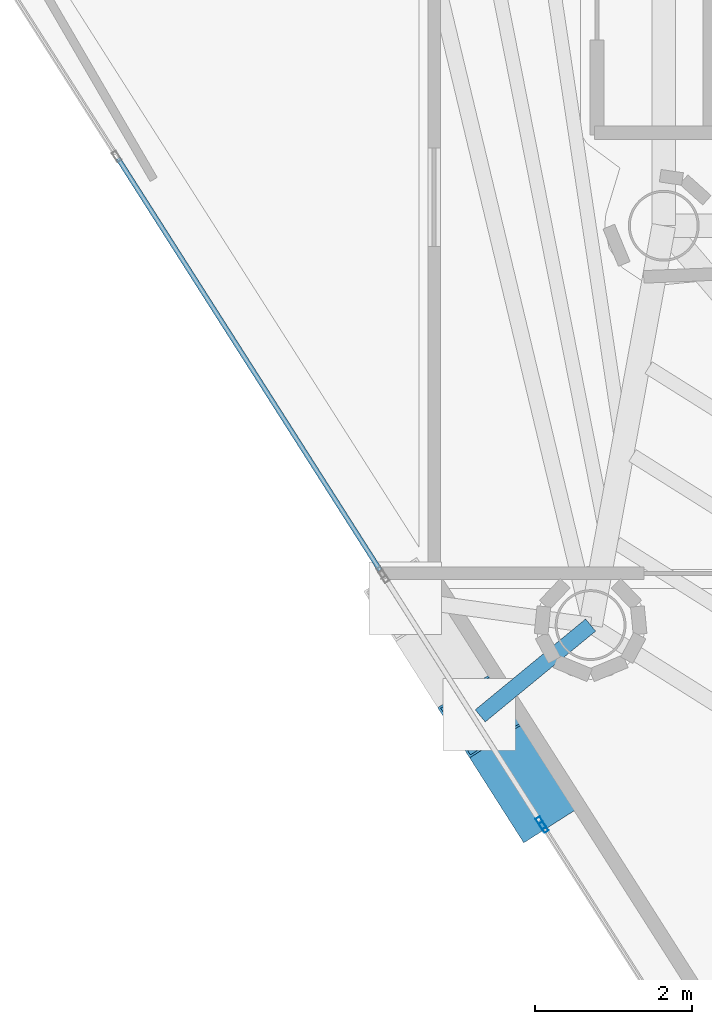
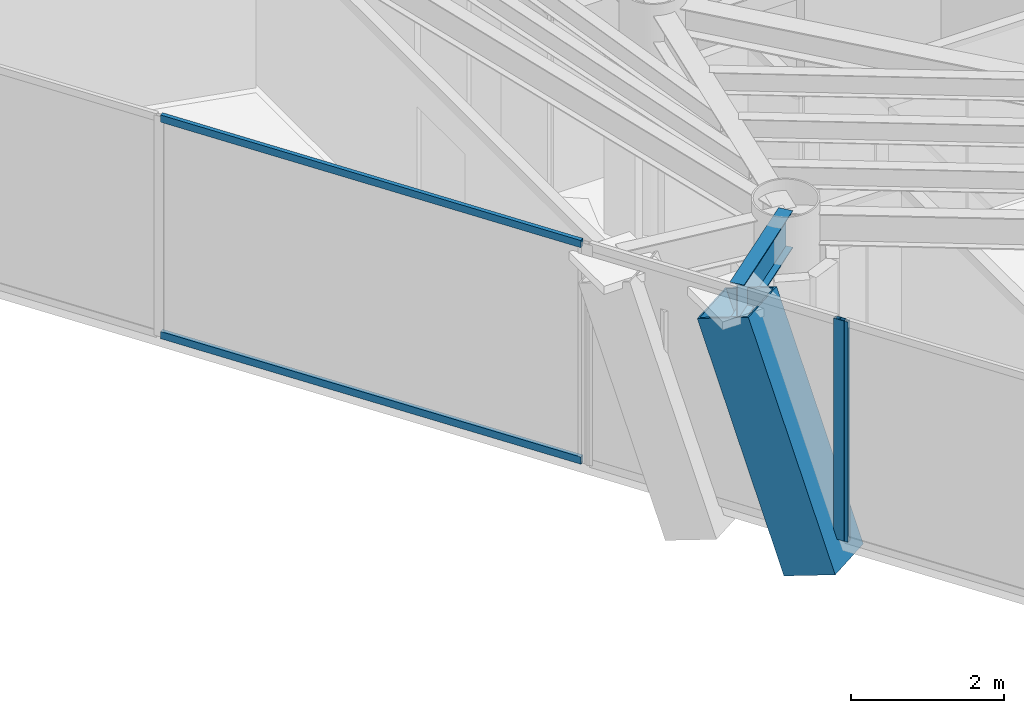
# One storey, part 3 of 25: 5 members, 1 beam, 3 elements without a shape of their own.
"""IFC4 building model written with IfcOpenShell, lengths in metres."""

from ifc_helpers import new_model, si_unit, direction, frame, origin, origin_2d, place, context, subcontext, project, spatial, hollow_rectangle, i_section, extrude, material, layer, layer_set, material_profile, profile_set, type_object, element, aggregate, save


model = new_model("IFC4")

# Units and contexts
model_context = context("Model", 3, precision=1e-05, world=origin(), true_north=direction((0.0, 1.0)))
body_context = subcontext(model_context, "Body", "Model", "MODEL_VIEW")
ifc_project = project(units=[si_unit("LENGTHUNIT", "METRE"), si_unit("AREAUNIT", "SQUARE_METRE"), si_unit("VOLUMEUNIT", "CUBIC_METRE"), si_unit("PLANEANGLEUNIT", "RADIAN"), si_unit("MASSUNIT", "GRAM", prefix="KILO")], contexts=[model_context])

# Site, building, storey
site_placement = place(None, origin())
site = spatial("IfcSite", under=ifc_project, at=site_placement, CompositionType="ELEMENT")
building_placement = place(site_placement, origin())
building = spatial("IfcBuilding", under=site, at=building_placement, Name="Qianvela Tower", CompositionType="ELEMENT")
storey_placement = place(building_placement, frame((0.0, 0.0, 288.0)))
storey = spatial("IfcBuildingStorey", under=building, at=storey_placement, Name="L74", CompositionType="ELEMENT", Elevation=288.0)

# Beam
ifc_material_1 = material(Name="Steel Q355B", Category="steel")
ifc_material_profile_1 = material_profile(ifc_material_1, i_section(OverallWidth=0.199951171875, OverallDepth=0.60009765625, WebThickness=0.010986328125, FlangeThickness=0.01708984375, at=origin_2d()), Name="HN600x200x11x17")
ifc_profile_set_1 = profile_set([ifc_material_profile_1], Name="Steel Q355B")
beam_type = type_object("IfcBeamType", Name="BM-HN600-GIRD", PredefinedType="BEAM", material=ifc_profile_set_1)
beam_placement = place(storey_placement, frame((27.669921875, 18.77392578125, 3.218017578125), z_axis=(-0.77232583648, -0.635226575566, 0.0), x_axis=(0.635226575566, -0.77232583648, 0.0)))
element("IfcBeam", 1, at=beam_placement, inside=storey, type_object=beam_type, Name="L74 Mega-Brace Column Tie Bracket F2-2", PredefinedType="BEAM", context=body_context, shape_type="SweptSolid", body=[
    extrude(i_section(OverallWidth=0.199951171875, OverallDepth=0.60009765625, WebThickness=0.010986328125, FlangeThickness=0.01708984375, at=origin_2d()), origin(), (0.0, 0.0, 1.0), 1.81640625),
])

# Curtain wall, member
ifc_material_2 = material(Name="Anodised Architectural Aluminium and Insulated Spandrel Panel", Category="aluminium")
ifc_layer_1 = layer(ifc_material_2, 0.179931640625)
ifc_layer_set_1 = layer_set([ifc_layer_1], Name="Anodised Architectural Aluminium and Insulated Spandrel Panel")
curtain_wall_type_1 = type_object("IfcCurtainWallType", Name="CW-BRACEBAY", PredefinedType="USERDEFINED", material=ifc_layer_set_1)
curtain_wall_1_placement = place(storey_placement, origin())
curtain_wall_1 = element("IfcCurtainWall", 2, at=curtain_wall_1_placement, inside=storey, type_object=curtain_wall_type_1, Name="L74 CW-BRACEBAY Curtain Wall 04B", ObjectType="CURTAIN_WALL_SYSTEM", PredefinedType="USERDEFINED")
ifc_material_3 = material(Name="Anodised Architectural Aluminium 6063-T6", Category="aluminium")
ifc_material_profile_2 = material_profile(ifc_material_3, hollow_rectangle(XDim=0.06494140625, YDim=0.159912109375, WallThickness=0.0048828125, at=origin_2d()), Name="ALU-MULL-65x160")
ifc_profile_set_2 = profile_set([ifc_material_profile_2], Name="Anodised Architectural Aluminium 6063-T6")
member_type_1 = type_object("IfcMemberType", Name="CW-BRACEBAY-MULL", PredefinedType="MULLION", material=ifc_profile_set_2)
member_1_placement = place(storey_placement, frame((27.038330078125, 16.25927734375, 0.0), z_axis=(0.0, 0.0, 1.0), x_axis=(0.843593943243, 0.536981618794, 0.0)))
member_1 = element("IfcMember", 3, at=member_1_placement, type_object=member_type_1, Name="CW-9 mullion 2", PredefinedType="MULLION", context=body_context, shape_type="SweptSolid", body=[
    extrude(hollow_rectangle(XDim=0.06494140625, YDim=0.159912109375, WallThickness=0.0048828125, at=origin_2d()), origin(), (0.0, 0.0, 1.0), 3.52001953125),
])
aggregate(curtain_wall_1, [member_1])

ifc_material_4 = material(Name="Anodised Architectural Aluminium and Low-E Glass", Category="aluminium")
ifc_layer_2 = layer(ifc_material_4, 0.14990234375)
ifc_layer_set_2 = layer_set([ifc_layer_2], Name="Anodised Architectural Aluminium and Low-E Glass")
curtain_wall_type_2 = type_object("IfcCurtainWallType", Name="CW-COLIV-Z78", PredefinedType="USERDEFINED", material=ifc_layer_set_2)
curtain_wall_2_placement = place(storey_placement, origin())
curtain_wall_2 = element("IfcCurtainWall", 4, at=curtain_wall_2_placement, inside=storey, type_object=curtain_wall_type_2, Name="L74 CW-COLIV-Z78 Curtain Wall 04C", ObjectType="CURTAIN_WALL_SYSTEM", PredefinedType="USERDEFINED")
ifc_material_5 = material(Name="Anodised Architectural Aluminium 6063-T6", Category="aluminium")
ifc_material_profile_3 = material_profile(ifc_material_5, hollow_rectangle(XDim=0.06005859375, YDim=0.139892578125, WallThickness=0.00439453125, at=origin_2d()), Name="ALU-MULL-60x140")
ifc_profile_set_3 = profile_set([ifc_material_profile_3], Name="Anodised Architectural Aluminium 6063-T6")
member_type_2 = type_object("IfcMemberType", Name="CW-COLIV-Z78-MULL", PredefinedType="MULLION", material=ifc_profile_set_3)
member_2_placement = place(storey_placement, frame((27.072021484375, 16.20654296875, 0.0), z_axis=(0.0, 0.0, 1.0), x_axis=(0.843576577393, 0.537008899436, 0.0)))
member_2 = element("IfcMember", 5, at=member_2_placement, type_object=member_type_2, Name="CW-6 mullion 1", PredefinedType="MULLION", context=body_context, shape_type="SweptSolid", body=[
    extrude(hollow_rectangle(XDim=0.06005859375, YDim=0.139892578125, WallThickness=0.00439453125, at=origin_2d()), origin(), (0.0, 0.0, 1.0), 3.52001953125),
])
aggregate(curtain_wall_2, [member_2])

# Curtain wall, members
curtain_wall_3_placement = place(storey_placement, origin())
curtain_wall_3 = element("IfcCurtainWall", 6, at=curtain_wall_3_placement, inside=storey, type_object=curtain_wall_type_2, Name="L74 CW-COLIV-Z78 Curtain Wall 04A", ObjectType="CURTAIN_WALL_SYSTEM", PredefinedType="USERDEFINED")
ifc_material_6 = material(Name="Anodised Architectural Aluminium 6063-T6", Category="aluminium")
ifc_material_profile_4 = material_profile(ifc_material_6, hollow_rectangle(XDim=0.06005859375, YDim=0.114990234375, WallThickness=0.00390625, at=origin_2d()), Name="ALU-TRAN-60x115")
ifc_profile_set_4 = profile_set([ifc_material_profile_4], Name="Anodised Architectural Aluminium 6063-T6")
member_type_3 = type_object("IfcMemberType", Name="CW-COLIV-Z78-TRAN", PredefinedType="USERDEFINED", material=ifc_profile_set_4)
member_3_placement = place(storey_placement, frame((21.661865234375, 24.70556640625, 0.030029296875), z_axis=(0.536997691401, -0.843583712165, 0.0), x_axis=(0.843583712165, 0.536997691401, 0.0)))
member_3 = element("IfcMember", 7, at=member_3_placement, type_object=member_type_3, Name="CW-6 transom 2.1", ObjectType="TRANSOM", PredefinedType="USERDEFINED", context=body_context, shape_type="SweptSolid", body=[
    extrude(hollow_rectangle(XDim=0.06005859375, YDim=0.114990234375, WallThickness=0.00390625, at=origin_2d()), origin(), (0.0, 0.0, 1.0), 6.204833984375),
])
member_4_placement = place(storey_placement, frame((21.661865234375, 24.70556640625, 3.489990234375), z_axis=(0.536997691401, -0.843583712165, 0.0), x_axis=(0.843583712165, 0.536997691401, 0.0)))
member_4 = element("IfcMember", 8, at=member_4_placement, type_object=member_type_3, Name="CW-6 transom 2.2", ObjectType="TRANSOM", PredefinedType="USERDEFINED", context=body_context, shape_type="SweptSolid", body=[
    extrude(hollow_rectangle(XDim=0.06005859375, YDim=0.114990234375, WallThickness=0.00390625, at=origin_2d()), origin(), (0.0, 0.0, 1.0), 6.204833984375),
])
aggregate(curtain_wall_3, [member_3, member_4])

# Member
ifc_material_7 = material(Name="Steel Q420GJC", Category="steel")
ifc_material_profile_5 = material_profile(ifc_material_7, hollow_rectangle(XDim=0.800048828125, YDim=0.800048828125, WallThickness=0.028076171875, at=origin_2d()), Name="MBOX-800x800x28")
ifc_profile_set_5 = profile_set([ifc_material_profile_5], Name="Steel Q420GJC")
member_type_4 = type_object("IfcMemberType", Name="MBR-MBRACE-800", PredefinedType="BRACE", material=ifc_profile_set_5)
member_5_placement = place(storey_placement, frame((26.954833984375, 16.53955078125, -0.48193359375), z_axis=(-0.175651643466, 0.275979472482, 0.944977158939), x_axis=(-0.843622243063, -0.536937157412, 0.0)))
element("IfcMember", 9, at=member_5_placement, inside=storey, type_object=member_type_4, Name="L74 Tier 12 Exterior Mega-Brace F2B", PredefinedType="BRACE", context=body_context, shape_type="SweptSolid", body=[
    extrude(hollow_rectangle(XDim=0.800048828125, YDim=0.800048828125, WallThickness=0.028076171875, at=origin_2d()), origin(), (0.0, 0.0, 1.0), 3.915283203125),
])

save(model, "model.ifc")
